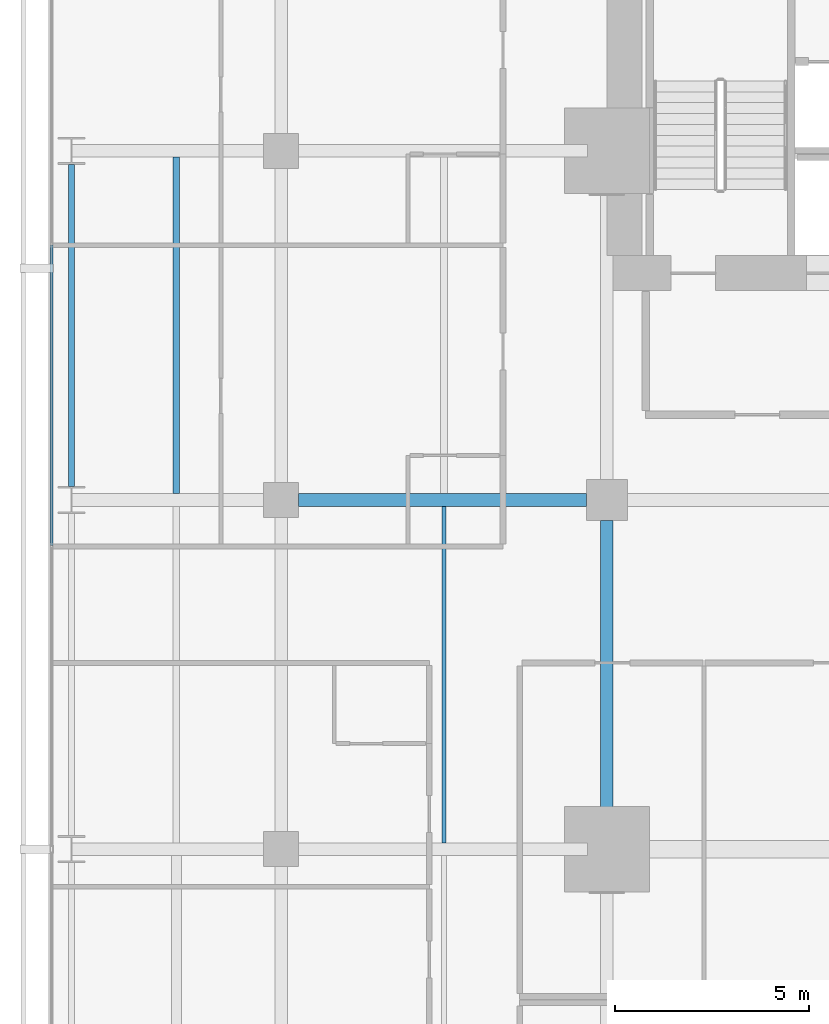
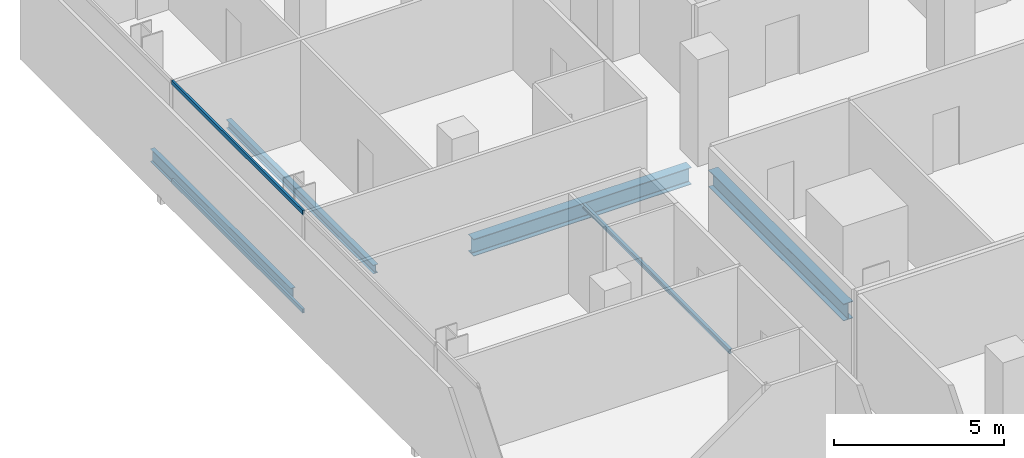
# One storey, part 22 of 40: 5 beams, 2 members, 1 element without a shape of its own.
"""IFC4 building model written with IfcOpenShell, lengths in metres."""

from ifc_helpers import new_model, si_unit, direction, frame, origin, origin_2d, place, context, subcontext, project, spatial, hollow_rectangle, i_section, extrude, material, layer, layer_set, material_profile, profile_set, type_object, element, aggregate, save


model = new_model("IFC4")

# Units and contexts
model_context = context("Model", 3, precision=1e-05, world=origin(), true_north=direction((0.0, 1.0)))
body_context = subcontext(model_context, "Body", "Model", "MODEL_VIEW")
ifc_project = project(units=[si_unit("LENGTHUNIT", "METRE"), si_unit("AREAUNIT", "SQUARE_METRE"), si_unit("VOLUMEUNIT", "CUBIC_METRE"), si_unit("PLANEANGLEUNIT", "RADIAN"), si_unit("MASSUNIT", "GRAM", prefix="KILO")], contexts=[model_context])

# Site, building, storey
site_placement = place(None, origin())
site = spatial("IfcSite", under=ifc_project, at=site_placement, CompositionType="ELEMENT")
building_placement = place(site_placement, origin())
building = spatial("IfcBuilding", under=site, at=building_placement, Name="Maruvema Waterfront Hotel and Observation Tower", CompositionType="ELEMENT")
storey_placement = place(building_placement, frame((0.0, 0.0, 88.550048828125)))
storey = spatial("IfcBuildingStorey", under=building, at=storey_placement, Name="L21", CompositionType="ELEMENT", Elevation=88.550048828125)

# Curtain wall, members
ifc_material_1 = material(Name="Anodised bronze aluminium and solar-control low-E IGU", Category="aluminium")
ifc_layer = layer(ifc_material_1, 0.159912109375, Name="Zone 1 Bronze Inner Thermal Curtain Wall System CW-02")
ifc_layer_set = layer_set([ifc_layer], Name="Anodised bronze aluminium and solar-control low-E IGU")
curtain_wall_type = type_object("IfcCurtainWallType", Name="Zone 1 Bronze Inner Thermal Curtain Wall System CW-02", PredefinedType="USERDEFINED", material=ifc_layer_set)
curtain_wall_placement = place(storey_placement, origin())
curtain_wall = element("IfcCurtainWall", 1, at=curtain_wall_placement, inside=storey, type_object=curtain_wall_type, Name="L21 Curtain Wall CW-L21-W", ObjectType="UNITISED CURTAIN WALL", PredefinedType="USERDEFINED")
ifc_material_2 = material(Name="Anodised architectural bronze aluminium", Category="aluminium")
ifc_material_profile_1 = material_profile(ifc_material_2, hollow_rectangle(XDim=0.070068359375, YDim=0.14990234375, WallThickness=0.00390625, at=origin_2d()), Name="ALU-T70x150")
ifc_profile_set_1 = profile_set([ifc_material_profile_1], Name="Anodised architectural bronze aluminium")
member_type = type_object("IfcMemberType", Name="Curtain Wall Horizontal Transom ALU-T70x150", PredefinedType="USERDEFINED", material=ifc_profile_set_1)
member_1_placement = place(storey_placement, frame((10.8798828125, 42.570068359375, 0.030029296875), z_axis=(0.0, -1.0, 0.0), x_axis=(1.0, 0.0, 0.0)))
member_1 = element("IfcMember", 2, at=member_1_placement, type_object=member_type, Name="CW-02 transom 2.1", ObjectType="TRANSOM", PredefinedType="USERDEFINED", context=body_context, shape_type="SweptSolid", body=[
    extrude(hollow_rectangle(XDim=0.070068359375, YDim=0.14990234375, WallThickness=0.00390625, at=origin_2d()), origin(), (0.0, 0.0, 1.0), 7.739990234375),
])
member_2_placement = place(storey_placement, frame((10.8798828125, 42.570068359375, 3.579833984375), z_axis=(0.0, -1.0, 0.0), x_axis=(1.0, 0.0, 0.0)))
member_2 = element("IfcMember", 3, at=member_2_placement, type_object=member_type, Name="CW-02 transom 2.2", ObjectType="TRANSOM", PredefinedType="USERDEFINED", context=body_context, shape_type="SweptSolid", body=[
    extrude(hollow_rectangle(XDim=0.070068359375, YDim=0.14990234375, WallThickness=0.00390625, at=origin_2d()), origin(), (0.0, 0.0, 1.0), 7.739990234375),
])
aggregate(curtain_wall, [member_1, member_2])

# Beams
ifc_material_3 = material(Name="Steel ASTM A572 Grade 50", Category="steel")
ifc_material_profile_2 = material_profile(ifc_material_3, i_section(OverallWidth=0.153076171875, OverallDepth=0.455078125, WebThickness=0.008056640625, FlangeThickness=0.01318359375, FilletRadius=0.014892578125, at=origin_2d()), Name="W460x60.0")
ifc_profile_set_2 = profile_set([ifc_material_profile_2], Name="Steel ASTM A572 Grade 50")
beam_type_1 = type_object("IfcBeamType", Name="Perimeter Spandrel Beam W460x60.0", PredefinedType="SPANDREL", material=ifc_profile_set_2)
beam_1_placement = place(storey_placement, frame((11.39990234375, 36.35009765625, -0.467529296875), z_axis=(0.0, 1.0, 0.0), x_axis=(-1.0, 0.0, 0.0)))
element("IfcBeam", 4, at=beam_1_placement, inside=storey, type_object=beam_type_1, Name="L21 Floor Girder NS-04", PredefinedType="SPANDREL", context=body_context, shape_type="SweptSolid", body=[
    extrude(i_section(OverallWidth=0.153076171875, OverallDepth=0.455078125, WebThickness=0.008056640625, FlangeThickness=0.01318359375, FilletRadius=0.014892578125, at=origin_2d()), origin(), (0.0, 0.0, 1.0), 8.2998046875),
])
ifc_material_4 = material(Name="Steel ASTM A572 Grade 50", Category="steel")
ifc_material_profile_3 = material_profile(ifc_material_4, i_section(OverallWidth=0.323974609375, OverallDepth=0.611083984375, WebThickness=0.0126953125, FlangeThickness=0.01904296875, FilletRadius=0.01806640625, at=origin_2d()), Name="W610x155.0")
ifc_profile_set_3 = profile_set([ifc_material_profile_3], Name="Steel ASTM A572 Grade 50")
beam_type_2 = type_object("IfcBeamType", Name="Primary Floor Girder W610x155.0", PredefinedType="BEAM", material=ifc_profile_set_3)
beam_2_placement = place(storey_placement, frame((17.25, 36.0, -0.545654296875), z_axis=(1.0, 0.0, 0.0), x_axis=(0.0, 1.0, 0.0)))
element("IfcBeam", 5, at=beam_2_placement, inside=storey, type_object=beam_type_2, Name="L21 Floor Girder EW-26", PredefinedType="BEAM", context=body_context, shape_type="SweptSolid", body=[
    extrude(i_section(OverallWidth=0.323974609375, OverallDepth=0.611083984375, WebThickness=0.0126953125, FlangeThickness=0.01904296875, FilletRadius=0.01806640625, at=origin_2d()), origin(), (0.0, 0.0, 1.0), 7.425048828125),
])
beam_3_placement = place(storey_placement, frame((25.199951171875, 27.5, -0.545654296875), z_axis=(0.0, 1.0, 0.0), x_axis=(-1.0, 0.0, 0.0)))
element("IfcBeam", 6, at=beam_3_placement, inside=storey, type_object=beam_type_2, Name="L21 Floor Girder NS-14", PredefinedType="BEAM", context=body_context, shape_type="SweptSolid", body=[
    extrude(i_section(OverallWidth=0.323974609375, OverallDepth=0.611083984375, WebThickness=0.0126953125, FlangeThickness=0.01904296875, FilletRadius=0.01806640625, at=origin_2d()), origin(), (0.0, 0.0, 1.0), 7.97509765625),
])
ifc_material_5 = material(Name="Steel ASTM A572 Grade 50", Category="steel")
ifc_material_profile_4 = material_profile(ifc_material_5, i_section(OverallWidth=0.10009765625, OverallDepth=0.153076171875, WebThickness=0.005859375, FlangeThickness=0.007080078125, FilletRadius=0.008056640625, at=origin_2d()), Name="W150x18.0")
ifc_profile_set_4 = profile_set([ifc_material_profile_4], Name="Steel ASTM A572 Grade 50")
beam_type_3 = type_object("IfcBeamType", Name="Secondary Floor Joist W150x18.0", PredefinedType="JOIST", material=ifc_profile_set_4)
beam_4_placement = place(storey_placement, frame((21.0, 27.162109375, -0.316650390625), z_axis=(0.0, 1.0, 0.0), x_axis=(-1.0, 0.0, 0.0)))
element("IfcBeam", 7, at=beam_4_placement, inside=storey, type_object=beam_type_3, Name="L21 Secondary Floor Joist JS-08", PredefinedType="JOIST", context=body_context, shape_type="SweptSolid", body=[
    extrude(i_section(OverallWidth=0.10009765625, OverallDepth=0.153076171875, WebThickness=0.005859375, FlangeThickness=0.007080078125, FilletRadius=0.008056640625, at=origin_2d()), origin(), (0.0, 0.0, 1.0), 8.67578125),
])
ifc_material_6 = material(Name="Steel ASTM A572 Grade 50", Category="steel")
ifc_material_profile_5 = material_profile(ifc_material_6, i_section(OverallWidth=0.1650390625, OverallDepth=0.31005859375, WebThickness=0.005859375, FlangeThickness=0.009765625, FilletRadius=0.012939453125, at=origin_2d()), Name="W310x38.7")
ifc_profile_set_5 = profile_set([ifc_material_profile_5], Name="Steel ASTM A572 Grade 50")
beam_type_4 = type_object("IfcBeamType", Name="Secondary Floor Joist W310x38.7", PredefinedType="JOIST", material=ifc_profile_set_5)
beam_5_placement = place(storey_placement, frame((14.10009765625, 36.162109375, -0.39501953125), z_axis=(0.0, 1.0, 0.0), x_axis=(-1.0, 0.0, 0.0)))
element("IfcBeam", 8, at=beam_5_placement, inside=storey, type_object=beam_type_4, Name="L21 Secondary Floor Joist JS-04", PredefinedType="JOIST", context=body_context, shape_type="SweptSolid", body=[
    extrude(i_section(OverallWidth=0.1650390625, OverallDepth=0.31005859375, WebThickness=0.005859375, FlangeThickness=0.009765625, FilletRadius=0.012939453125, at=origin_2d()), origin(), (0.0, 0.0, 1.0), 8.67578125),
])

save(model, "model.ifc")
